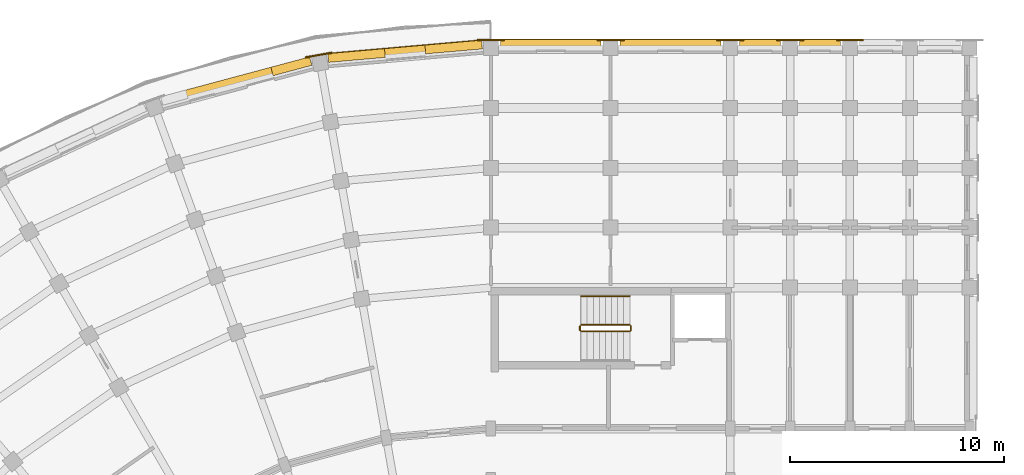
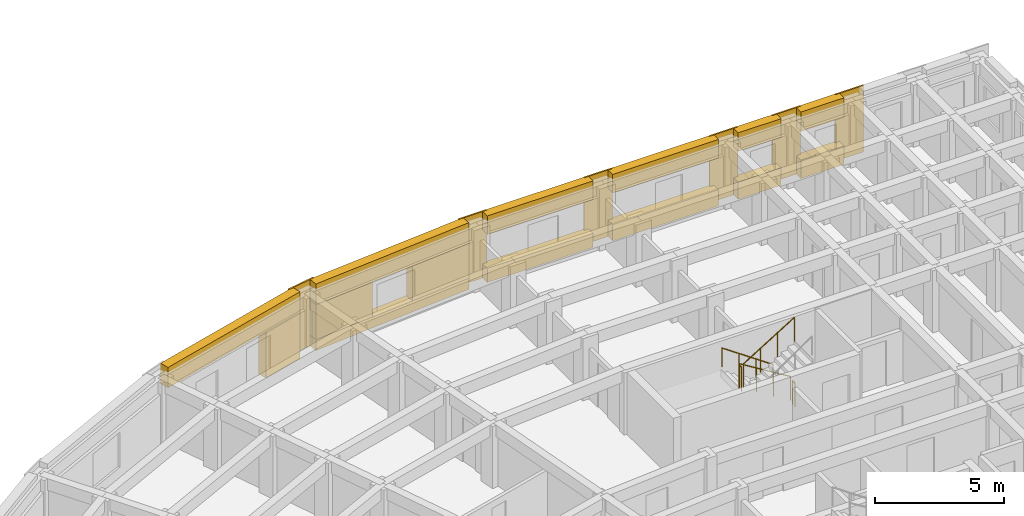
# One storey, part 50 of 57: 20 coverings, 5 railings.
"""IFC4 building model written with IfcOpenShell, lengths in metres."""

from ifc_helpers import new_model, si_unit, direction, frame, origin, origin_2d, place, context, subcontext, project, spatial, polyline, circle, outline, extrude, material, layer, layer_set, type_object, element, save


model = new_model("IFC4")

# Units and contexts
model_context = context("Model", 3, precision=1e-05, world=origin(), true_north=direction((0.0, 1.0)))
body_context = subcontext(model_context, "Body", "Model", "MODEL_VIEW")
ifc_project = project(units=[si_unit("LENGTHUNIT", "METRE"), si_unit("AREAUNIT", "SQUARE_METRE"), si_unit("VOLUMEUNIT", "CUBIC_METRE"), si_unit("PLANEANGLEUNIT", "RADIAN"), si_unit("MASSUNIT", "GRAM", prefix="KILO")], contexts=[model_context])

# Site, building, storey
site_placement = place(None, origin())
site = spatial("IfcSite", under=ifc_project, at=site_placement, CompositionType="ELEMENT")
building_placement = place(site_placement, origin())
building = spatial("IfcBuilding", under=site, at=building_placement, Name="Kiranvali Square Residences", CompositionType="ELEMENT")
storey_placement = place(building_placement, frame((0.0, 0.0, 24.449951171875)))
storey = spatial("IfcBuildingStorey", under=building, at=storey_placement, Name="L07", CompositionType="ELEMENT", Elevation=24.449951171875)

# Coverings
ifc_material_1 = material(Name="Honed Porbandar limestone ashlar facade cladding", Category="masonry")
ifc_layer_1 = layer(ifc_material_1, 0.3798828125)
ifc_layer_set_1 = layer_set([ifc_layer_1], Name="Honed Porbandar limestone ashlar facade cladding")
covering_type_1 = type_object("IfcCoveringType", Name="COV-CLAD-JAMB", PredefinedType="CLADDING", material=ifc_layer_set_1)
covering_1_placement = place(storey_placement, frame((0.0, 0.0, 0.52197265625)))
element("IfcCovering", 1, at=covering_1_placement, inside=storey, type_object=covering_type_1, Name="L07 deep limestone window jamb reveal A-L07-CRV-00.L", PredefinedType="CLADDING", context=body_context, shape_type="SweptSolid", body=[
    extrude(outline(polyline([(47.765869140625, 134.173583984375), (45.11669921875, 133.94189453125), (45.15234375, 133.533935546875), (47.801513671875, 133.765625), (47.765869140625, 134.173583984375)])), origin(), (0.0, 0.0, 1.0), 1.650146484375),
])
covering_2_placement = place(storey_placement, frame((0.0, 0.0, 0.52197265625)))
element("IfcCovering", 2, at=covering_2_placement, inside=storey, type_object=covering_type_1, Name="L07 deep limestone window jamb reveal A-L07-CRV-00.R", PredefinedType="CLADDING", context=body_context, shape_type="SweptSolid", body=[
    extrude(outline(polyline([(43.223876953125, 133.776123046875), (40.574951171875, 133.54443359375), (40.610595703125, 133.136474609375), (43.259765625, 133.3681640625), (43.223876953125, 133.776123046875)])), origin(), (0.0, 0.0, 1.0), 1.650146484375),
])
covering_3_placement = place(storey_placement, origin())
element("IfcCovering", 3, at=covering_3_placement, inside=storey, type_object=covering_type_1, Name="L07 deep limestone window jamb reveal A-L07-CRV-01.L", PredefinedType="CLADDING", context=body_context, shape_type="SweptSolid", body=[
    extrude(outline(polyline([(39.7197265625, 133.3935546875), (37.9072265625, 132.907958984375), (38.01318359375, 132.512451171875), (39.82568359375, 132.998046875), (39.7197265625, 133.3935546875)])), origin(), (0.0, 0.0, 1.0), 2.179931640625),
])
ifc_layer_2 = layer(ifc_material_1, 0.06494140625)
ifc_layer_set_2 = layer_set([ifc_layer_2], Name="Honed Porbandar limestone ashlar facade cladding")
covering_type_2 = type_object("IfcCoveringType", Name="COV-CLAD-PIER", PredefinedType="CLADDING", material=ifc_layer_set_2)
covering_4_placement = place(storey_placement, frame((0.0, 0.0, 0.005126953125)))
element("IfcCovering", 4, at=covering_4_placement, inside=storey, type_object=covering_type_2, Name="L07 Classical limestone corner pilaster CLAD-PR-A-L07-A00", PredefinedType="CLADDING", context=body_context, shape_type="SweptSolid", body=[
    extrude(outline(polyline([(48.830078125, 134.218017578125), (47.570068359375, 134.218017578125), (47.570068359375, 134.150390625), (48.830078125, 134.150390625), (48.830078125, 134.218017578125)])), origin(), (0.0, 0.0, 1.0), 3.139892578125),
])
covering_5_placement = place(storey_placement, frame((0.0, 0.0, 0.005126953125)))
element("IfcCovering", 5, at=covering_5_placement, inside=storey, type_object=covering_type_2, Name="L07 Classical limestone corner pilaster CLAD-PR-A-L07-A01", PredefinedType="CLADDING", context=body_context, shape_type="SweptSolid", body=[
    extrude(outline(polyline([(40.760009765625, 133.622314453125), (39.519287109375, 133.4033203125), (39.531005859375, 133.3369140625), (40.771728515625, 133.5556640625), (40.760009765625, 133.622314453125)])), origin(), (0.0, 0.0, 1.0), 3.139892578125),
])
covering_6_placement = place(storey_placement, frame((0.0, 0.0, 0.005126953125)))
element("IfcCovering", 6, at=covering_6_placement, inside=storey, type_object=covering_type_2, Name="L07 Classical limestone pilaster casing CLAD-PR-A-L07-U56", PredefinedType="CLADDING", context=body_context, shape_type="SweptSolid", body=[
    extrude(outline(polyline([(53.169921875, 134.150390625), (54.429931640625, 134.150390625), (54.429931640625, 134.218017578125), (53.169921875, 134.218017578125), (53.169921875, 134.150390625)])), origin(), (0.0, 0.0, 1.0), 3.139892578125),
])
covering_7_placement = place(storey_placement, frame((0.0, 0.0, 0.005126953125)))
element("IfcCovering", 7, at=covering_7_placement, inside=storey, type_object=covering_type_2, Name="L07 Classical limestone pilaster casing CLAD-PR-A-L07-U112", PredefinedType="CLADDING", context=body_context, shape_type="SweptSolid", body=[
    extrude(outline(polyline([(58.77001953125, 134.150390625), (60.030029296875, 134.150390625), (60.030029296875, 134.218017578125), (58.77001953125, 134.218017578125), (58.77001953125, 134.150390625)])), origin(), (0.0, 0.0, 1.0), 3.139892578125),
])
covering_8_placement = place(storey_placement, frame((0.0, 0.0, 0.005126953125)))
element("IfcCovering", 8, at=covering_8_placement, inside=storey, type_object=covering_type_2, Name="L07 Classical limestone pilaster casing CLAD-PR-A-L07-U140", PredefinedType="CLADDING", context=body_context, shape_type="SweptSolid", body=[
    extrude(outline(polyline([(61.570068359375, 134.150390625), (62.830078125, 134.150390625), (62.830078125, 134.218017578125), (61.570068359375, 134.218017578125), (61.570068359375, 134.150390625)])), origin(), (0.0, 0.0, 1.0), 3.139892578125),
])
covering_9_placement = place(storey_placement, frame((0.0, 0.0, 0.005126953125)))
element("IfcCovering", 9, at=covering_9_placement, inside=storey, type_object=covering_type_2, Name="L07 Classical limestone pilaster casing CLAD-PR-A-L07-U167", PredefinedType="CLADDING", context=body_context, shape_type="SweptSolid", body=[
    extrude(outline(polyline([(64.3701171875, 134.150390625), (65.6298828125, 134.150390625), (65.6298828125, 134.218017578125), (64.3701171875, 134.218017578125), (64.3701171875, 134.150390625)])), origin(), (0.0, 0.0, 1.0), 3.139892578125),
])
ifc_layer_3 = layer(ifc_material_1, 0.360107421875)
ifc_layer_set_3 = layer_set([ifc_layer_3], Name="Honed Porbandar limestone ashlar facade cladding")
covering_type_3 = type_object("IfcCoveringType", Name="COV-CLAD-WALL", PredefinedType="CLADDING", material=ifc_layer_set_3)
covering_10_placement = place(storey_placement, frame((0.0, 0.0, 2.172119140625)))
element("IfcCovering", 10, at=covering_10_placement, inside=storey, type_object=covering_type_3, Name="L07 light limestone spandrel lintel A-L07-CRV-00", PredefinedType="CLADDING", context=body_context, shape_type="SweptSolid", body=[
    extrude(outline(polyline([(47.765869140625, 134.173583984375), (40.574951171875, 133.54443359375), (40.610595703125, 133.136474609375), (47.801513671875, 133.765625), (47.765869140625, 134.173583984375)])), origin(), (0.0, 0.0, 1.0), 0.972900390625),
])
covering_11_placement = place(storey_placement, frame((0.0, 0.0, 0.005126953125)))
element("IfcCovering", 11, at=covering_11_placement, inside=storey, type_object=covering_type_3, Name="L07 limestone window sill apron A-L07-CRV-00", PredefinedType="CLADDING", context=body_context, shape_type="SweptSolid", body=[
    extrude(outline(polyline([(47.76318359375, 134.203369140625), (40.572265625, 133.57421875), (40.610595703125, 133.136474609375), (47.801513671875, 133.765625), (47.76318359375, 134.203369140625)])), origin(), (0.0, 0.0, 1.0), 0.516845703125),
])
covering_12_placement = place(storey_placement, frame((0.0, 0.0, 2.179931640625)))
element("IfcCovering", 12, at=covering_12_placement, inside=storey, type_object=covering_type_3, Name="L07 light limestone spandrel lintel A-L07-CRV-01", PredefinedType="CLADDING", context=body_context, shape_type="SweptSolid", body=[
    extrude(outline(polyline([(39.7197265625, 133.3935546875), (32.747314453125, 131.525390625), (32.853271484375, 131.1298828125), (39.82568359375, 132.998046875), (39.7197265625, 133.3935546875)])), origin(), (0.0, 0.0, 1.0), 0.965087890625),
])
covering_13_placement = place(storey_placement, frame((0.0, 0.0, 2.27197265625)))
element("IfcCovering", 13, at=covering_13_placement, inside=storey, type_object=covering_type_3, Name="L07 light limestone spandrel lintel A-L07-A1O-0", PredefinedType="CLADDING", context=body_context, shape_type="SweptSolid", body=[
    extrude(outline(polyline([(48.639892578125, 133.800537109375), (53.360107421875, 133.800537109375), (53.360107421875, 134.199951171875), (48.639892578125, 134.199951171875), (48.639892578125, 133.800537109375)])), origin(), (0.0, 0.0, 1.0), 0.873046875),
])
covering_14_placement = place(storey_placement, frame((0.0, 0.0, 0.005126953125)))
element("IfcCovering", 14, at=covering_14_placement, inside=storey, type_object=covering_type_3, Name="L07 limestone window sill apron A-L07-A1O-0", PredefinedType="CLADDING", context=body_context, shape_type="SweptSolid", body=[
    extrude(outline(polyline([(48.639892578125, 133.800537109375), (53.360107421875, 133.800537109375), (53.360107421875, 134.22998046875), (48.639892578125, 134.22998046875), (48.639892578125, 133.800537109375)])), origin(), (0.0, 0.0, 1.0), 0.6669921875),
])
covering_15_placement = place(storey_placement, frame((0.0, 0.0, 2.27197265625)))
element("IfcCovering", 15, at=covering_15_placement, inside=storey, type_object=covering_type_3, Name="L07 light limestone spandrel lintel A-L07-A1O-1", PredefinedType="CLADDING", context=body_context, shape_type="SweptSolid", body=[
    extrude(outline(polyline([(54.239990234375, 133.800537109375), (58.9599609375, 133.800537109375), (58.9599609375, 134.199951171875), (54.239990234375, 134.199951171875), (54.239990234375, 133.800537109375)])), origin(), (0.0, 0.0, 1.0), 0.873046875),
])
covering_16_placement = place(storey_placement, frame((0.0, 0.0, 0.005126953125)))
element("IfcCovering", 16, at=covering_16_placement, inside=storey, type_object=covering_type_3, Name="L07 limestone window sill apron A-L07-A1O-1", PredefinedType="CLADDING", context=body_context, shape_type="SweptSolid", body=[
    extrude(outline(polyline([(54.239990234375, 133.800537109375), (58.9599609375, 133.800537109375), (58.9599609375, 134.22998046875), (54.239990234375, 134.22998046875), (54.239990234375, 133.800537109375)])), origin(), (0.0, 0.0, 1.0), 0.766845703125),
])
covering_17_placement = place(storey_placement, frame((0.0, 0.0, 2.27197265625)))
element("IfcCovering", 17, at=covering_17_placement, inside=storey, type_object=covering_type_3, Name="L07 light limestone spandrel lintel A-L07-A1O-2", PredefinedType="CLADDING", context=body_context, shape_type="SweptSolid", body=[
    extrude(outline(polyline([(59.840087890625, 133.800537109375), (61.760009765625, 133.800537109375), (61.760009765625, 134.199951171875), (59.840087890625, 134.199951171875), (59.840087890625, 133.800537109375)])), origin(), (0.0, 0.0, 1.0), 0.873046875),
])
covering_18_placement = place(storey_placement, frame((0.0, 0.0, 0.005126953125)))
element("IfcCovering", 18, at=covering_18_placement, inside=storey, type_object=covering_type_3, Name="L07 limestone window sill apron A-L07-A1O-2", PredefinedType="CLADDING", context=body_context, shape_type="SweptSolid", body=[
    extrude(outline(polyline([(59.840087890625, 133.800537109375), (61.760009765625, 133.800537109375), (61.760009765625, 134.22998046875), (59.840087890625, 134.22998046875), (59.840087890625, 133.800537109375)])), origin(), (0.0, 0.0, 1.0), 0.81689453125),
])
covering_19_placement = place(storey_placement, frame((0.0, 0.0, 2.22998046875)))
element("IfcCovering", 19, at=covering_19_placement, inside=storey, type_object=covering_type_3, Name="L07 light limestone spandrel lintel A-L07-A1O-3", PredefinedType="CLADDING", context=body_context, shape_type="SweptSolid", body=[
    extrude(outline(polyline([(62.639892578125, 133.800537109375), (64.56005859375, 133.800537109375), (64.56005859375, 134.199951171875), (62.639892578125, 134.199951171875), (62.639892578125, 133.800537109375)])), origin(), (0.0, 0.0, 1.0), 0.9150390625),
])
covering_20_placement = place(storey_placement, frame((0.0, 0.0, 0.005126953125)))
element("IfcCovering", 20, at=covering_20_placement, inside=storey, type_object=covering_type_3, Name="L07 limestone window sill apron A-L07-A1O-3", PredefinedType="CLADDING", context=body_context, shape_type="SweptSolid", body=[
    extrude(outline(polyline([(62.639892578125, 133.800537109375), (64.56005859375, 133.800537109375), (64.56005859375, 134.22998046875), (62.639892578125, 134.22998046875), (62.639892578125, 133.800537109375)])), origin(), (0.0, 0.0, 1.0), 0.875),
])

# Railings
ifc_material_2 = material(Name="Brushed stainless steel tubular handrail", Category="steel")
railing_type_1 = type_object("IfcRailingType", Name="RL-HANDRAIL-900", PredefinedType="HANDRAIL", material=ifc_material_2)
railing_1_placement = place(storey_placement, frame((54.699951171875, 122.199951171875, 0.175048828125)))
element("IfcRailing", 21, at=railing_1_placement, inside=storey, type_object=railing_type_1, Name="L07 ST-A1 stair handrail 1", PredefinedType="HANDRAIL", context=body_context, shape_type="SweptSolid", body=[
    extrude(circle(Radius=0.02392578125, at=origin_2d()), frame((0.0, 0.0, 0.8759765625), z_axis=(-0.82278801735, 0.0, 0.568348377763), x_axis=(0.0, -1.0, 0.0)), (0.0, 0.0, 1.0), 2.77099609375),
    extrude(circle(Radius=0.02099609375, at=origin_2d()), origin(), (0.0, 0.0, 1.0), 0.851806640625),
    extrude(circle(Radius=0.02099609375, at=origin_2d()), frame((-0.760009765625, 0.0, 0.52490234375)), (0.0, 0.0, 1.0), 0.851806640625),
    extrude(circle(Radius=0.02099609375, at=origin_2d()), frame((-1.52001953125, 0.0, 1.050048828125)), (0.0, 0.0, 1.0), 0.851806640625),
    extrude(circle(Radius=0.02099609375, at=origin_2d()), frame((-2.280029296875, 0.0, 1.574951171875)), (0.0, 0.0, 1.0), 0.851806640625),
])
ifc_material_3 = material(Name="Powder-coated architectural bronze balustrade", Category="steel")
railing_type_2 = type_object("IfcRailingType", Name="RL-ST-GUARD-1200", PredefinedType="GUARDRAIL", material=ifc_material_3)
railing_2_placement = place(storey_placement, frame((54.699951171875, 120.85009765625, 0.175048828125)))
element("IfcRailing", 22, at=railing_2_placement, inside=storey, type_object=railing_type_2, Name="L07 ST-A1 stair guard 1", PredefinedType="GUARDRAIL", context=body_context, shape_type="SweptSolid", body=[
    extrude(circle(Radius=0.02392578125, at=origin_2d()), frame((0.0, 0.0, 1.1259765625), z_axis=(-0.852190499154, 0.0, 0.523231643875), x_axis=(0.0, -1.0, 0.0)), (0.0, 0.0, 1.0), 2.675537109375),
    extrude(circle(Radius=0.02099609375, at=origin_2d()), origin(), (0.0, 0.0, 1.0), 1.101806640625),
    extrude(circle(Radius=0.02099609375, at=origin_2d()), frame((-0.760009765625, 0.0, 0.466552734375)), (0.0, 0.0, 1.0), 1.101806640625),
    extrude(circle(Radius=0.02099609375, at=origin_2d()), frame((-1.52001953125, 0.0, 0.933349609375)), (0.0, 0.0, 1.0), 1.101806640625),
    extrude(circle(Radius=0.02099609375, at=origin_2d()), frame((-2.280029296875, 0.0, 1.39990234375)), (0.0, 0.0, 1.0), 1.101806640625),
])
railing_3_placement = place(storey_placement, frame((52.3701171875, 120.800048828125, 1.574951171875)))
element("IfcRailing", 23, at=railing_3_placement, inside=storey, type_object=railing_type_2, Name="L07 ST-A1 stair guard 2", PredefinedType="GUARDRAIL", context=body_context, shape_type="SweptSolid", body=[
    extrude(circle(Radius=0.02392578125, at=origin_2d()), frame((0.0, 0.0, 1.1259765625), z_axis=(0.0, -1.0, 0.0), x_axis=(1.0, 0.0, 0.0)), (0.0, 0.0, 1.0), 0.199951171875),
    extrude(circle(Radius=0.02099609375, at=origin_2d()), origin(), (0.0, 0.0, 1.0), 1.101806640625),
    extrude(circle(Radius=0.02099609375, at=origin_2d()), frame((0.0, -0.199951171875, 0.0)), (0.0, 0.0, 1.0), 1.101806640625),
])
railing_4_placement = place(storey_placement, frame((52.419921875, 120.550048828125, 1.75)))
element("IfcRailing", 24, at=railing_4_placement, inside=storey, type_object=railing_type_2, Name="L07 ST-A1 stair guard 3", PredefinedType="GUARDRAIL", context=body_context, shape_type="SweptSolid", body=[
    extrude(circle(Radius=0.02392578125, at=origin_2d()), frame((0.0, 0.0, 1.1259765625), z_axis=(0.852149810458, 0.0, 0.523297908018), x_axis=(0.0, 1.0, 0.0)), (0.0, 0.0, 1.0), 2.675537109375),
    extrude(circle(Radius=0.02099609375, at=origin_2d()), origin(), (0.0, 0.0, 1.0), 1.101806640625),
    extrude(circle(Radius=0.02099609375, at=origin_2d()), frame((0.760009765625, 0.0, 0.466796875)), (0.0, 0.0, 1.0), 1.101806640625),
    extrude(circle(Radius=0.02099609375, at=origin_2d()), frame((1.52001953125, 0.0, 0.933349609375)), (0.0, 0.0, 1.0), 1.101806640625),
    extrude(circle(Radius=0.02099609375, at=origin_2d()), frame((2.280029296875, 0.0, 1.400146484375)), (0.0, 0.0, 1.0), 1.101806640625),
])
railing_5_placement = place(storey_placement, frame((54.75, 120.800048828125, 0.0)))
element("IfcRailing", 25, at=railing_5_placement, inside=storey, type_object=railing_type_2, Name="L07 ST-A1 stair guard 4", PredefinedType="GUARDRAIL", context=body_context, shape_type="SweptSolid", body=[
    extrude(circle(Radius=0.02392578125, at=origin_2d()), frame((0.0, 0.0, 1.1259765625), z_axis=(0.0, -1.0, 0.0), x_axis=(1.0, 0.0, 0.0)), (0.0, 0.0, 1.0), 0.199951171875),
    extrude(circle(Radius=0.02099609375, at=origin_2d()), origin(), (0.0, 0.0, 1.0), 1.101806640625),
    extrude(circle(Radius=0.02099609375, at=origin_2d()), frame((0.0, -0.199951171875, 0.0)), (0.0, 0.0, 1.0), 1.101806640625),
])

save(model, "model.ifc")
